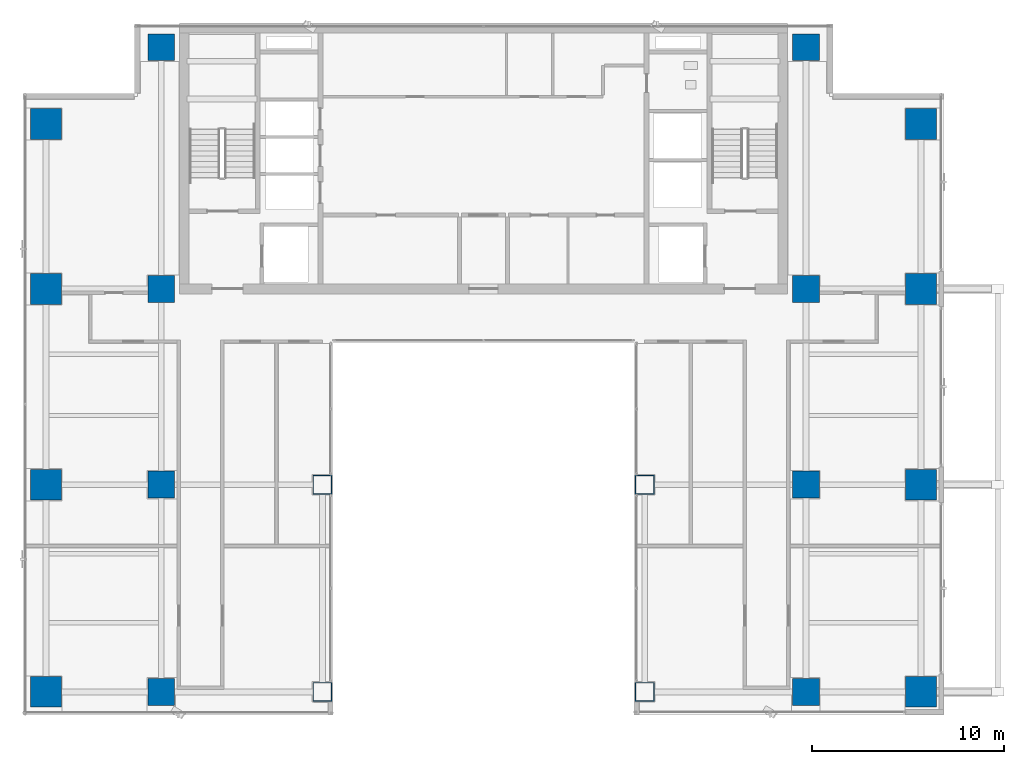
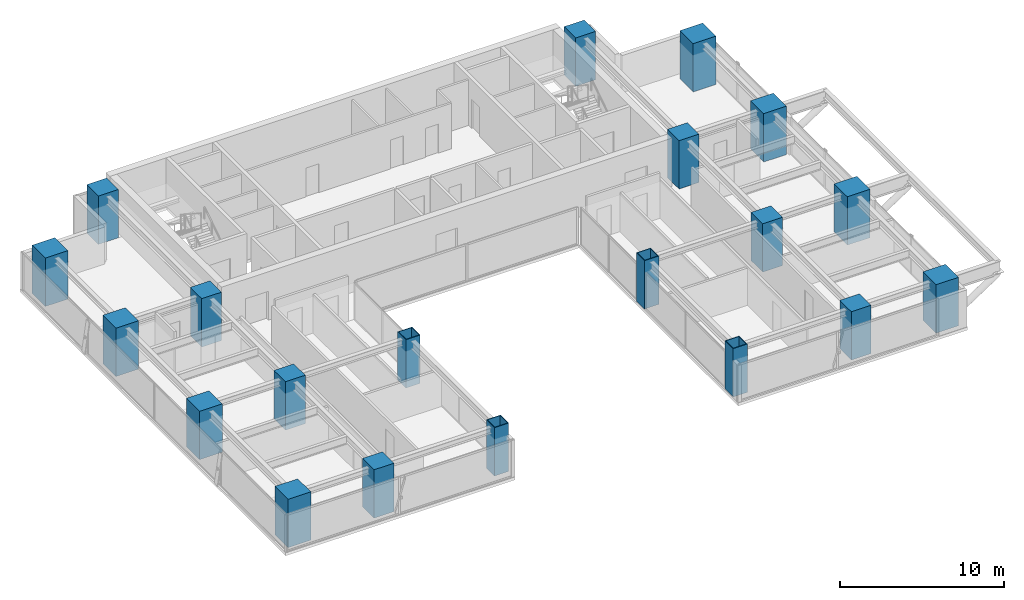
# One storey, part 1 of 31: 20 columns.
"""IFC4 building model written with IfcOpenShell, lengths in metres."""

from ifc_helpers import new_model, si_unit, direction, frame, origin, origin_2d, place, context, subcontext, project, spatial, rectangle, hollow_rectangle, extrude, source, transform, mapped, material, material_profile, profile_set, type_object, element, save


model = new_model("IFC4")

# Units and contexts
model_context = context("Model", 3, precision=1e-05, world=origin(), true_north=direction((0.0, 1.0)))
body_context = subcontext(model_context, "Body", "Model", "MODEL_VIEW")
ifc_project = project(units=[si_unit("LENGTHUNIT", "METRE"), si_unit("AREAUNIT", "SQUARE_METRE"), si_unit("VOLUMEUNIT", "CUBIC_METRE"), si_unit("PLANEANGLEUNIT", "RADIAN"), si_unit("MASSUNIT", "GRAM", prefix="KILO")], contexts=[model_context])

# Site, building, storey
site_placement = place(None, origin())
site = spatial("IfcSite", under=ifc_project, at=site_placement, CompositionType="ELEMENT")
building_placement = place(site_placement, origin())
building = spatial("IfcBuilding", under=site, at=building_placement, Name="Sumidabori Civic Tower", CompositionType="ELEMENT")
storey_placement = place(building_placement, frame((0.0, 0.0, 221.60009765625)))
storey = spatial("IfcBuildingStorey", under=building, at=storey_placement, Name="L57", CompositionType="ELEMENT", Elevation=221.60009765625)

# Columns
ifc_material_1 = material(Name="Concrete C60/75", Category="concrete")
ifc_material_profile_1 = material_profile(ifc_material_1, rectangle(XDim=1.60009765625, YDim=1.60009765625, at=origin_2d()), Name="RC 1600x1600")
ifc_profile_set_1 = profile_set([ifc_material_profile_1], Name="Concrete C60/75")
column_type_1 = type_object("IfcColumnType", Name="CL-MEGA-1600", PredefinedType="COLUMN", material=ifc_profile_set_1)
shared_shape_1 = source(origin(), body_context, "Body", "SweptSolid", [
    extrude(rectangle(XDim=1.60009765625, YDim=1.60009765625, at=origin_2d()), origin(), (0.0, 0.0, 1.0), 3.599853515625),
])
for number, where, z_axis, x_axis, name in (
    (1, (-22.800048828125, -10.800048828125, 0.0), (0.0, 0.0, 1.0), (1.0, 0.0, 0.0), "Column MC-W23-Y11S L57"),
    (2, (-22.800048828125, 0.0, 0.0), (0.0, 0.0, 1.0), (1.0, 0.0, 0.0), "Column MC-W23-Y00 L57"),
    (3, (-22.800048828125, 10.199951171875, 0.0), (0.0, 0.0, 1.0), (1.0, 0.0, 0.0), "Column MC-W23-Y10N L57"),
    (4, (-22.800048828125, 18.800048828125, 0.0), (0.0, 0.0, 1.0), (1.0, 0.0, 0.0), "Column MC-W23-Y19N L57"),
    (5, (22.800048828125, -10.800048828125, 0.0), (0.0, 0.0, 1.0), (1.0, 0.0, 0.0), "Column MC-E23-Y11S L57"),
    (6, (22.800048828125, 0.0, 0.0), (0.0, 0.0, 1.0), (1.0, 0.0, 0.0), "Column MC-E23-Y00 L57"),
    (7, (22.800048828125, 10.199951171875, 0.0), (0.0, 0.0, 1.0), (1.0, 0.0, 0.0), "Column MC-E23-Y10N L57"),
    (8, (22.800048828125, 18.800048828125, 0.0), (0.0, 0.0, 1.0), (1.0, 0.0, 0.0), "Column MC-E23-Y19N L57"),
):
    element("IfcColumn", number, at=place(storey_placement, frame(where, z_axis=z_axis, x_axis=x_axis)), inside=storey, type_object=column_type_1, Name=name, PredefinedType="COLUMN", context=body_context, shape_type="MappedRepresentation", body=[
        mapped(shared_shape_1, transform((0.0, 0.0, 0.0), x_axis=(1.0, 0.0, 0.0), y_axis=(0.0, 1.0, 0.0), z_axis=(0.0, 0.0, 1.0), scale=1.0)),
    ])
ifc_material_2 = material(Name="Steel SM570", Category="steel")
ifc_material_profile_2 = material_profile(ifc_material_2, hollow_rectangle(XDim=1.0, YDim=1.0, WallThickness=0.044921875, at=origin_2d()), Name="SHS 1000x1000x45")
ifc_profile_set_2 = profile_set([ifc_material_profile_2], Name="Steel SM570")
column_type_2 = type_object("IfcColumnType", Name="CL-PORTAL-SHS1000", PredefinedType="COLUMN", material=ifc_profile_set_2)
shared_shape_2 = source(origin(), body_context, "Body", "SweptSolid", [
    extrude(hollow_rectangle(XDim=1.0, YDim=1.0, WallThickness=0.044921875, at=origin_2d()), origin(), (0.0, 0.0, 1.0), 3.599853515625),
])
for number, where, z_axis, x_axis, name in (
    (9, (-8.39990234375, 0.0, 0.0), (0.0, 0.0, 1.0), (1.0, 0.0, 0.0), "Column MC-W08-Y00 L57"),
    (10, (-8.39990234375, -10.800048828125, 0.0), (0.0, 0.0, 1.0), (1.0, 0.0, 0.0), "Column MC-W08-Y11S L57"),
    (11, (8.39990234375, 0.0, 0.0), (0.0, 0.0, 1.0), (1.0, 0.0, 0.0), "Column MC-E08-Y00 L57"),
    (12, (8.39990234375, -10.800048828125, 0.0), (0.0, 0.0, 1.0), (1.0, 0.0, 0.0), "Column MC-E08-Y11S L57"),
):
    element("IfcColumn", number, at=place(storey_placement, frame(where, z_axis=z_axis, x_axis=x_axis)), inside=storey, type_object=column_type_2, Name=name, PredefinedType="COLUMN", context=body_context, shape_type="MappedRepresentation", body=[
        mapped(shared_shape_2, transform((0.0, 0.0, 0.0), x_axis=(1.0, 0.0, 0.0), y_axis=(0.0, 1.0, 0.0), z_axis=(0.0, 0.0, 1.0), scale=1.0)),
    ])
ifc_material_profile_3 = material_profile(ifc_material_1, rectangle(XDim=1.39990234375, YDim=1.39990234375, at=origin_2d()), Name="RC 1400x1400")
ifc_profile_set_3 = profile_set([ifc_material_profile_3], Name="Concrete C60/75")
column_type_3 = type_object("IfcColumnType", Name="CL-MEGA-1400", PredefinedType="COLUMN", material=ifc_profile_set_3)
shared_shape_3 = source(origin(), body_context, "Body", "SweptSolid", [
    extrude(rectangle(XDim=1.39990234375, YDim=1.39990234375, at=origin_2d()), origin(), (0.0, 0.0, 1.0), 3.599853515625),
])
for number, where, z_axis, x_axis, name in (
    (13, (-16.800048828125, -10.800048828125, 0.0), (0.0, 0.0, 1.0), (1.0, 0.0, 0.0), "Column MC-W16-Y11S L57"),
    (14, (-16.800048828125, 0.0, 0.0), (0.0, 0.0, 1.0), (1.0, 0.0, 0.0), "Column MC-W16-Y00 L57"),
    (15, (-16.800048828125, 10.199951171875, 0.0), (0.0, 0.0, 1.0), (1.0, 0.0, 0.0), "Column MC-W16-Y10N L57"),
    (16, (-16.800048828125, 22.800048828125, 0.0), (0.0, 0.0, 1.0), (1.0, 0.0, 0.0), "Column MC-W16-Y23N L57"),
    (17, (16.800048828125, -10.800048828125, 0.0), (0.0, 0.0, 1.0), (1.0, 0.0, 0.0), "Column MC-E16-Y11S L57"),
    (18, (16.800048828125, 0.0, 0.0), (0.0, 0.0, 1.0), (1.0, 0.0, 0.0), "Column MC-E16-Y00 L57"),
    (19, (16.800048828125, 10.199951171875, 0.0), (0.0, 0.0, 1.0), (1.0, 0.0, 0.0), "Column MC-E16-Y10N L57"),
    (20, (16.800048828125, 22.800048828125, 0.0), (0.0, 0.0, 1.0), (1.0, 0.0, 0.0), "Column MC-E16-Y23N L57"),
):
    element("IfcColumn", number, at=place(storey_placement, frame(where, z_axis=z_axis, x_axis=x_axis)), inside=storey, type_object=column_type_3, Name=name, PredefinedType="COLUMN", context=body_context, shape_type="MappedRepresentation", body=[
        mapped(shared_shape_3, transform((0.0, 0.0, 0.0), x_axis=(1.0, 0.0, 0.0), y_axis=(0.0, 1.0, 0.0), z_axis=(0.0, 0.0, 1.0), scale=1.0)),
    ])

save(model, "model.ifc")
